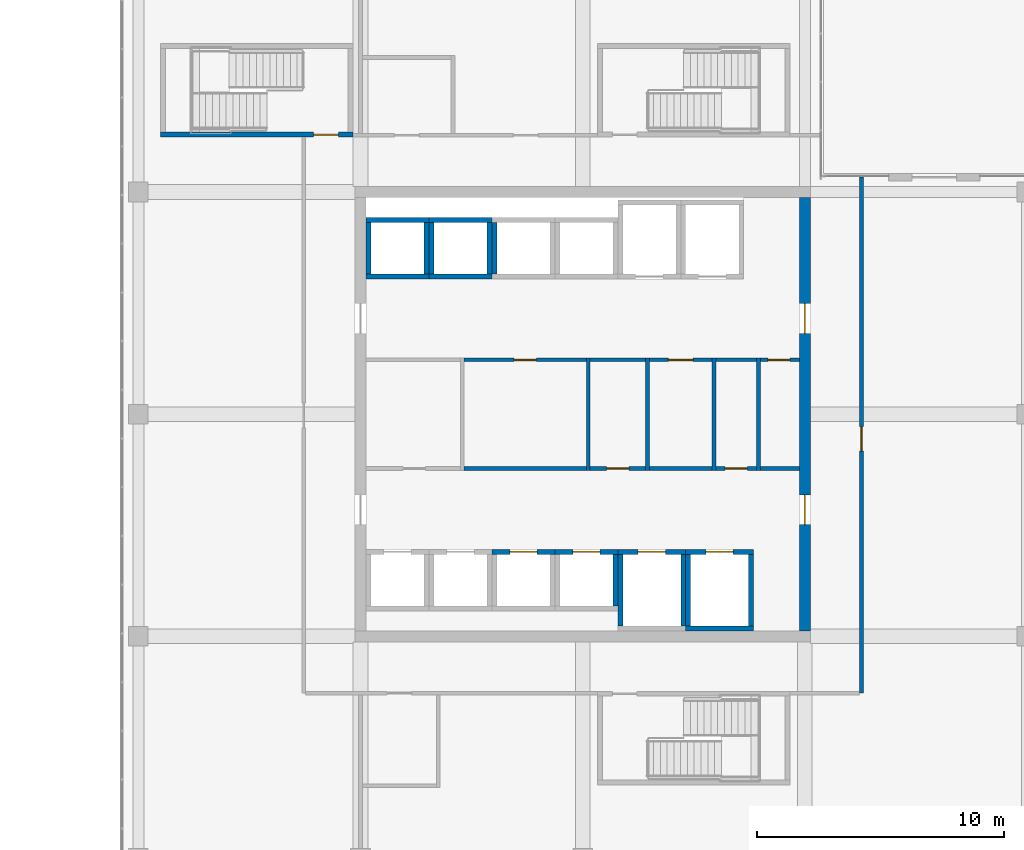
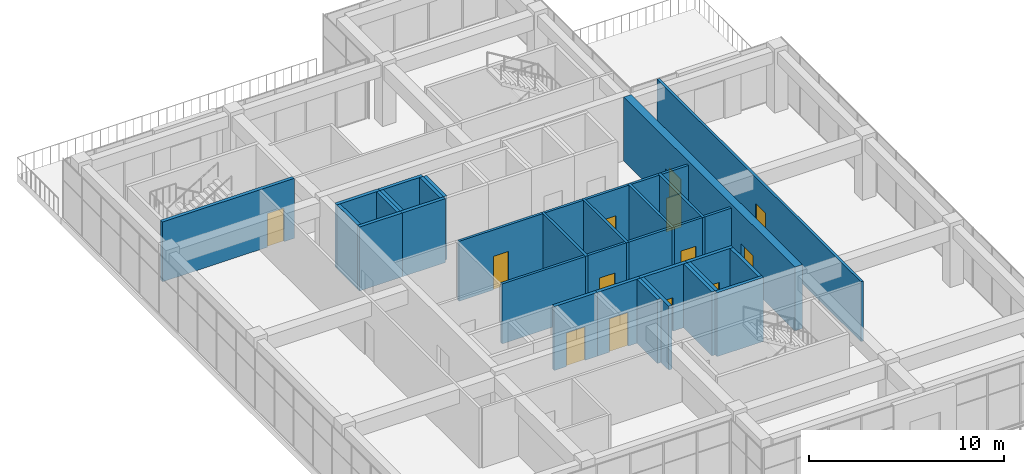
# One storey, part 74 of 81: 36 walls, 13 doors, 13 openings.
"""IFC4 building model written with IfcOpenShell, lengths in metres."""

from ifc_helpers import new_model, si_unit, direction, frame, frame_2d, origin, place, context, subcontext, project, spatial, rectangle, extrude, material, layer, layer_set, type_object, element, fill, save


model = new_model("IFC4")

# Units and contexts
model_context = context("Model", 3, precision=1e-05, world=origin(), true_north=direction((0.0, 1.0)))
body_context = subcontext(model_context, "Body", "Model", "MODEL_VIEW")
ifc_project = project(units=[si_unit("LENGTHUNIT", "METRE"), si_unit("AREAUNIT", "SQUARE_METRE"), si_unit("VOLUMEUNIT", "CUBIC_METRE"), si_unit("PLANEANGLEUNIT", "RADIAN"), si_unit("MASSUNIT", "GRAM", prefix="KILO")], contexts=[model_context])

# Site, building, storey
site_placement = place(None, origin())
site = spatial("IfcSite", under=ifc_project, at=site_placement, CompositionType="ELEMENT")
building_placement = place(site_placement, origin())
building = spatial("IfcBuilding", under=site, at=building_placement, Name="Tuart Plaza Theatre", CompositionType="ELEMENT")
storey_placement = place(building_placement, frame((0.0, 0.0, 17.5)))
storey = spatial("IfcBuildingStorey", under=building, at=storey_placement, Name="L04", CompositionType="ELEMENT", Elevation=17.5)

# Walls
ifc_material_1 = material(Name="Masonry block", Category="masonry")
ifc_layer_1 = layer(ifc_material_1, 0.14990234375)
ifc_layer_set_1 = layer_set([ifc_layer_1], Name="PARTITION BLK150 MASONRYB FRL -/120/120")
wall_type_1 = type_object("IfcWallType", Name="PARTITION BLK150 MASONRYB FRL -/120/120", PredefinedType="PARTITIONING", material=ifc_layer_set_1)
wall_1_placement = place(storey_placement, frame((132.22509765625, 71.72509765625, 0.0), z_axis=(0.0, 0.0, 1.0), x_axis=(0.0, 1.0, 0.0)))
element("IfcWall", 1, at=wall_1_placement, inside=storey, type_object=wall_type_1, Name="P610", PredefinedType="PARTITIONING", context=body_context, shape_type="SweptSolid", body=[
    extrude(rectangle(XDim=4.5498046875, YDim=0.14990234375, at=frame_2d((2.27490234375, 0.0))), origin(), (0.0, 0.0, 1.0), 3.75),
])
wall_2_placement = place(storey_placement, frame((127.199951171875, 71.800048828125, 0.0), z_axis=(0.0, 0.0, 1.0), x_axis=(1.0, 0.0, 0.0)))
element("IfcWall", 2, at=wall_2_placement, inside=storey, type_object=wall_type_1, Name="P611", PredefinedType="PARTITIONING", context=body_context, shape_type="SweptSolid", body=[
    extrude(rectangle(XDim=4.949951171875, YDim=0.14990234375, at=frame_2d((2.47509765625, 0.0))), origin(), (0.0, 0.0, 1.0), 3.75),
])

# Wall, opening, door
wall_3_placement = place(storey_placement, frame((127.199951171875, 76.199951171875, 0.0), z_axis=(0.0, 0.0, 1.0), x_axis=(1.0, 0.0, 0.0)))
wall_3 = element("IfcWall", 3, at=wall_3_placement, inside=storey, type_object=wall_type_1, Name="P612", PredefinedType="PARTITIONING", context=body_context, shape_type="SweptSolid", body=[
    extrude(rectangle(XDim=4.949951171875, YDim=0.14990234375, at=frame_2d((2.47509765625, 0.0))), origin(), (0.0, 0.0, 1.0), 3.75),
])
opening_1_placement = place(wall_3_placement, frame((2.02490234375, 0.0, 0.0)))
opening_1 = element("IfcOpeningElement", 4, at=opening_1_placement, cuts=wall_3, Name="Opening L04-039", PredefinedType="OPENING", context=body_context, shape_type="SweptSolid", body=[
    extrude(rectangle(XDim=0.89990234375, YDim=2.10009765625, at=frame_2d((0.449951171875, 1.050048828125))), frame((0.0, 0.0849609375, 0.0), z_axis=(0.0, -1.0, 0.0), x_axis=(1.0, 0.0, 0.0)), (0.0, 0.0, 1.0), 0.169921875),
])
ifc_material_2 = material(Name="Steel Grade 300", Category="steel")
door_type_1 = type_object("IfcDoorType", Name="DOOR 900x2100 steel single swing FRL -/120/30", OperationType="SINGLE_SWING_LEFT", PredefinedType="DOOR", material=ifc_material_2)
door_1_placement = place(opening_1_placement, frame((0.89990234375, 0.0, 0.0), z_axis=(0.0, 0.0, 1.0), x_axis=(-1.0, 0.0, 0.0)))
door_1 = element("IfcDoor", 5, at=door_1_placement, inside=storey, type_object=door_type_1, Name="L04-039", OperationType="SINGLE_SWING_LEFT", OverallHeight=2.10009765625, OverallWidth=0.89990234375, PredefinedType="DOOR", context=body_context, shape_type="SweptSolid", body=[
    extrude(rectangle(XDim=0.89990234375, YDim=2.10009765625, at=frame_2d((0.449951171875, 1.050048828125))), frame((0.0, 0.02490234375, 0.0), z_axis=(0.0, -1.0, 0.0), x_axis=(1.0, 0.0, 0.0)), (0.0, 0.0, 1.0), 0.050048828125),
])
fill(opening_1, door_1)

# Wall
wall_4_placement = place(storey_placement, frame((134.625, 71.72509765625, 0.0), z_axis=(0.0, 0.0, 1.0), x_axis=(0.0, 1.0, 0.0)))
element("IfcWall", 6, at=wall_4_placement, inside=storey, type_object=wall_type_1, Name="P613", PredefinedType="PARTITIONING", context=body_context, shape_type="SweptSolid", body=[
    extrude(rectangle(XDim=4.5498046875, YDim=0.14990234375, at=frame_2d((2.27490234375, 0.0))), origin(), (0.0, 0.0, 1.0), 3.75),
])

# Wall, opening, door
wall_5_placement = place(storey_placement, frame((132.300048828125, 71.800048828125, 0.0), z_axis=(0.0, 0.0, 1.0), x_axis=(1.0, 0.0, 0.0)))
wall_5 = element("IfcWall", 7, at=wall_5_placement, inside=storey, type_object=wall_type_1, Name="P614", PredefinedType="PARTITIONING", context=body_context, shape_type="SweptSolid", body=[
    extrude(rectangle(XDim=2.25, YDim=0.14990234375, at=frame_2d((1.125, 0.0))), origin(), (0.0, 0.0, 1.0), 3.75),
])
opening_2_placement = place(wall_5_placement, frame((0.675048828125, 0.0, 0.0)))
opening_2 = element("IfcOpeningElement", 8, at=opening_2_placement, cuts=wall_5, Name="Opening L04-040", PredefinedType="OPENING", context=body_context, shape_type="SweptSolid", body=[
    extrude(rectangle(XDim=0.89990234375, YDim=2.10009765625, at=frame_2d((0.449951171875, 1.050048828125))), frame((0.0, 0.0849609375, 0.0), z_axis=(0.0, -1.0, 0.0), x_axis=(1.0, 0.0, 0.0)), (0.0, 0.0, 1.0), 0.169921875),
])
door_2_placement = place(opening_2_placement, origin())
door_2 = element("IfcDoor", 9, at=door_2_placement, inside=storey, type_object=door_type_1, Name="L04-040", OperationType="SINGLE_SWING_LEFT", OverallHeight=2.10009765625, OverallWidth=0.89990234375, PredefinedType="DOOR", context=body_context, shape_type="SweptSolid", body=[
    extrude(rectangle(XDim=0.89990234375, YDim=2.10009765625, at=frame_2d((0.449951171875, 1.050048828125))), frame((0.0, 0.02490234375, 0.0), z_axis=(0.0, -1.0, 0.0), x_axis=(1.0, 0.0, 0.0)), (0.0, 0.0, 1.0), 0.050048828125),
])
fill(opening_2, door_2)

# Walls
wall_6_placement = place(storey_placement, frame((132.300048828125, 76.199951171875, 0.0), z_axis=(0.0, 0.0, 1.0), x_axis=(1.0, 0.0, 0.0)))
element("IfcWall", 10, at=wall_6_placement, inside=storey, type_object=wall_type_1, Name="P615", PredefinedType="PARTITIONING", context=body_context, shape_type="SweptSolid", body=[
    extrude(rectangle(XDim=2.25, YDim=0.14990234375, at=frame_2d((1.125, 0.0))), origin(), (0.0, 0.0, 1.0), 3.75),
])
wall_7_placement = place(storey_placement, frame((137.324951171875, 71.72509765625, 0.0), z_axis=(0.0, 0.0, 1.0), x_axis=(0.0, 1.0, 0.0)))
element("IfcWall", 11, at=wall_7_placement, inside=storey, type_object=wall_type_1, Name="P616", PredefinedType="PARTITIONING", context=body_context, shape_type="SweptSolid", body=[
    extrude(rectangle(XDim=4.5498046875, YDim=0.14990234375, at=frame_2d((2.27490234375, 0.0))), origin(), (0.0, 0.0, 1.0), 3.75),
])
wall_8_placement = place(storey_placement, frame((134.699951171875, 71.800048828125, 0.0), z_axis=(0.0, 0.0, 1.0), x_axis=(1.0, 0.0, 0.0)))
element("IfcWall", 12, at=wall_8_placement, inside=storey, type_object=wall_type_1, Name="P617", PredefinedType="PARTITIONING", context=body_context, shape_type="SweptSolid", body=[
    extrude(rectangle(XDim=2.550048828125, YDim=0.14990234375, at=frame_2d((1.27490234375, 0.0))), origin(), (0.0, 0.0, 1.0), 3.75),
])

# Wall, opening, door
wall_9_placement = place(storey_placement, frame((134.699951171875, 76.199951171875, 0.0), z_axis=(0.0, 0.0, 1.0), x_axis=(1.0, 0.0, 0.0)))
wall_9 = element("IfcWall", 13, at=wall_9_placement, inside=storey, type_object=wall_type_1, Name="P618", PredefinedType="PARTITIONING", context=body_context, shape_type="SweptSolid", body=[
    extrude(rectangle(XDim=2.550048828125, YDim=0.14990234375, at=frame_2d((1.27490234375, 0.0))), origin(), (0.0, 0.0, 1.0), 3.75),
])
opening_3_placement = place(wall_9_placement, frame((0.77490234375, 0.0, 0.0)))
opening_3 = element("IfcOpeningElement", 14, at=opening_3_placement, cuts=wall_9, Name="Opening L04-041", PredefinedType="OPENING", context=body_context, shape_type="SweptSolid", body=[
    extrude(rectangle(XDim=1.0, YDim=2.10009765625, at=frame_2d((0.5, 1.050048828125))), frame((0.0, 0.0849609375, 0.0), z_axis=(0.0, -1.0, 0.0), x_axis=(1.0, 0.0, 0.0)), (0.0, 0.0, 1.0), 0.169921875),
])
ifc_material_3 = material(Name="Steel Grade 300", Category="steel")
door_type_2 = type_object("IfcDoorType", Name="DOOR 1000x2100 steel single swing FRL -/120/30", OperationType="SINGLE_SWING_LEFT", PredefinedType="DOOR", material=ifc_material_3)
door_3_placement = place(opening_3_placement, frame((1.0, 0.0, 0.0), z_axis=(0.0, 0.0, 1.0), x_axis=(-1.0, 0.0, 0.0)))
door_3 = element("IfcDoor", 15, at=door_3_placement, inside=storey, type_object=door_type_2, Name="L04-041", OperationType="SINGLE_SWING_LEFT", OverallHeight=2.10009765625, OverallWidth=1.0, PredefinedType="DOOR", context=body_context, shape_type="SweptSolid", body=[
    extrude(rectangle(XDim=1.0, YDim=2.10009765625, at=frame_2d((0.5, 1.050048828125))), frame((0.0, 0.02490234375, 0.0), z_axis=(0.0, -1.0, 0.0), x_axis=(1.0, 0.0, 0.0)), (0.0, 0.0, 1.0), 0.050048828125),
])
fill(opening_3, door_3)

# Wall
wall_10_placement = place(storey_placement, frame((139.125, 71.72509765625, 0.0), z_axis=(0.0, 0.0, 1.0), x_axis=(0.0, 1.0, 0.0)))
element("IfcWall", 16, at=wall_10_placement, inside=storey, type_object=wall_type_1, Name="P619", PredefinedType="PARTITIONING", context=body_context, shape_type="SweptSolid", body=[
    extrude(rectangle(XDim=4.5498046875, YDim=0.14990234375, at=frame_2d((2.27490234375, 0.0))), origin(), (0.0, 0.0, 1.0), 3.75),
])

# Wall, opening, door
wall_11_placement = place(storey_placement, frame((137.39990234375, 71.800048828125, 0.0), z_axis=(0.0, 0.0, 1.0), x_axis=(1.0, 0.0, 0.0)))
wall_11 = element("IfcWall", 17, at=wall_11_placement, inside=storey, type_object=wall_type_1, Name="P620", PredefinedType="PARTITIONING", context=body_context, shape_type="SweptSolid", body=[
    extrude(rectangle(XDim=1.650146484375, YDim=0.14990234375, at=frame_2d((0.8251953125, 0.0))), origin(), (0.0, 0.0, 1.0), 3.75),
])
opening_4_placement = place(wall_11_placement, frame((0.375, 0.0, 0.0)))
opening_4 = element("IfcOpeningElement", 18, at=opening_4_placement, cuts=wall_11, Name="Opening L04-042", PredefinedType="OPENING", context=body_context, shape_type="SweptSolid", body=[
    extrude(rectangle(XDim=0.89990234375, YDim=2.10009765625, at=frame_2d((0.449951171875, 1.050048828125))), frame((0.0, 0.0849609375, 0.0), z_axis=(0.0, -1.0, 0.0), x_axis=(1.0, 0.0, 0.0)), (0.0, 0.0, 1.0), 0.169921875),
])
door_4_placement = place(opening_4_placement, origin())
door_4 = element("IfcDoor", 19, at=door_4_placement, inside=storey, type_object=door_type_1, Name="L04-042", OperationType="SINGLE_SWING_LEFT", OverallHeight=2.10009765625, OverallWidth=0.89990234375, PredefinedType="DOOR", context=body_context, shape_type="SweptSolid", body=[
    extrude(rectangle(XDim=0.89990234375, YDim=2.10009765625, at=frame_2d((0.449951171875, 1.050048828125))), frame((0.0, 0.02490234375, 0.0), z_axis=(0.0, -1.0, 0.0), x_axis=(1.0, 0.0, 0.0)), (0.0, 0.0, 1.0), 0.050048828125),
])
fill(opening_4, door_4)

# Walls
wall_12_placement = place(storey_placement, frame((137.39990234375, 76.199951171875, 0.0), z_axis=(0.0, 0.0, 1.0), x_axis=(1.0, 0.0, 0.0)))
element("IfcWall", 20, at=wall_12_placement, inside=storey, type_object=wall_type_1, Name="P621", PredefinedType="PARTITIONING", context=body_context, shape_type="SweptSolid", body=[
    extrude(rectangle(XDim=1.650146484375, YDim=0.14990234375, at=frame_2d((0.8251953125, 0.0))), origin(), (0.0, 0.0, 1.0), 3.75),
])
wall_13_placement = place(storey_placement, frame((139.199951171875, 71.800048828125, 0.0), z_axis=(0.0, 0.0, 1.0), x_axis=(1.0, 0.0, 0.0)))
element("IfcWall", 21, at=wall_13_placement, inside=storey, type_object=wall_type_1, Name="P622", PredefinedType="PARTITIONING", context=body_context, shape_type="SweptSolid", body=[
    extrude(rectangle(XDim=1.574951171875, YDim=0.14990234375, at=frame_2d((0.78759765625, 0.0))), origin(), (0.0, 0.0, 1.0), 3.75),
])

# Wall, opening, door
wall_14_placement = place(storey_placement, frame((139.199951171875, 76.199951171875, 0.0), z_axis=(0.0, 0.0, 1.0), x_axis=(1.0, 0.0, 0.0)))
wall_14 = element("IfcWall", 22, at=wall_14_placement, inside=storey, type_object=wall_type_1, Name="P623", PredefinedType="PARTITIONING", context=body_context, shape_type="SweptSolid", body=[
    extrude(rectangle(XDim=1.574951171875, YDim=0.14990234375, at=frame_2d((0.78759765625, 0.0))), origin(), (0.0, 0.0, 1.0), 3.75),
])
opening_5_placement = place(wall_14_placement, frame((0.300048828125, 0.0, 0.0)))
opening_5 = element("IfcOpeningElement", 23, at=opening_5_placement, cuts=wall_14, Name="Opening L04-043", PredefinedType="OPENING", context=body_context, shape_type="SweptSolid", body=[
    extrude(rectangle(XDim=0.89990234375, YDim=2.10009765625, at=frame_2d((0.449951171875, 1.050048828125))), frame((0.0, 0.0849609375, 0.0), z_axis=(0.0, -1.0, 0.0), x_axis=(1.0, 0.0, 0.0)), (0.0, 0.0, 1.0), 0.169921875),
])
door_5_placement = place(opening_5_placement, frame((0.89990234375, 0.0, 0.0), z_axis=(0.0, 0.0, 1.0), x_axis=(-1.0, 0.0, 0.0)))
door_5 = element("IfcDoor", 24, at=door_5_placement, inside=storey, type_object=door_type_1, Name="L04-043", OperationType="SINGLE_SWING_LEFT", OverallHeight=2.10009765625, OverallWidth=0.89990234375, PredefinedType="DOOR", context=body_context, shape_type="SweptSolid", body=[
    extrude(rectangle(XDim=0.89990234375, YDim=2.10009765625, at=frame_2d((0.449951171875, 1.050048828125))), frame((0.0, 0.02490234375, 0.0), z_axis=(0.0, -1.0, 0.0), x_axis=(1.0, 0.0, 0.0)), (0.0, 0.0, 1.0), 0.050048828125),
])
fill(opening_5, door_5)

ifc_material_4 = material(Name="Masonry block", Category="masonry")
ifc_layer_2 = layer(ifc_material_4, 0.14990234375)
ifc_layer_set_2 = layer_set([ifc_layer_2], Name="PARTITION BLK150 MASONRYB FRL 120/-/-")
wall_type_2 = type_object("IfcWallType", Name="PARTITION BLK150 MASONRYB FRL 120/-/-", PredefinedType="PARTITIONING", material=ifc_layer_set_2)
wall_15_placement = place(storey_placement, frame((143.300048828125, 83.60009765625, 0.0), z_axis=(0.0, 0.0, 1.0), x_axis=(0.0, -1.0, 0.0)))
wall_15 = element("IfcWall", 25, at=wall_15_placement, inside=storey, type_object=wall_type_2, Name="P627", PredefinedType="PARTITIONING", context=body_context, shape_type="SweptSolid", body=[
    extrude(rectangle(XDim=20.900146484375, YDim=0.14990234375, at=frame_2d((10.4501953125, 0.0))), origin(), (0.0, 0.0, 1.0), 3.75),
])
opening_6_placement = place(wall_15_placement, frame((10.10009765625, 0.0, 0.0)))
opening_6 = element("IfcOpeningElement", 26, at=opening_6_placement, cuts=wall_15, Name="Opening L04-046", PredefinedType="OPENING", context=body_context, shape_type="SweptSolid", body=[
    extrude(rectangle(XDim=1.0, YDim=2.10009765625, at=frame_2d((0.5, 1.050048828125))), frame((0.0, 0.0849609375, 0.0), z_axis=(0.0, -1.0, 0.0), x_axis=(1.0, 0.0, 0.0)), (0.0, 0.0, 1.0), 0.169921875),
])
ifc_material_5 = material(Name="Timber", Category="wood")
door_type_3 = type_object("IfcDoorType", Name="DOOR 1000x2100 timber single swing FRL -/60/30", OperationType="SINGLE_SWING_LEFT", PredefinedType="DOOR", material=ifc_material_5)
door_6_placement = place(opening_6_placement, origin())
door_6 = element("IfcDoor", 27, at=door_6_placement, inside=storey, type_object=door_type_3, Name="L04-046", OperationType="SINGLE_SWING_LEFT", OverallHeight=2.10009765625, OverallWidth=1.0, PredefinedType="DOOR", context=body_context, shape_type="SweptSolid", body=[
    extrude(rectangle(XDim=1.0, YDim=2.10009765625, at=frame_2d((0.5, 1.050048828125))), frame((0.0, 0.02490234375, 0.0), z_axis=(0.0, -1.0, 0.0), x_axis=(1.0, 0.0, 0.0)), (0.0, 0.0, 1.0), 0.050048828125),
])
fill(opening_6, door_6)

ifc_material_6 = material(Name="Concrete N40 (40 MPa)", Category="concrete")
ifc_layer_3 = layer(ifc_material_6, 0.199951171875)
ifc_layer_set_3 = layer_set([ifc_layer_3], Name="SHEAR WALL RC200 FRL 120/120/120")
wall_type_3 = type_object("IfcWallType", Name="SHEAR WALL RC200 FRL 120/120/120", PredefinedType="SHEAR", material=ifc_layer_set_3)
wall_16_placement = place(storey_placement, frame((130.875, 68.425048828125, 0.0), z_axis=(0.0, 0.0, 1.0), x_axis=(-1.0, 0.0, 0.0)))
wall_16 = element("IfcWall", 28, at=wall_16_placement, inside=storey, type_object=wall_type_3, Name="W656", PredefinedType="SHEAR", context=body_context, shape_type="SweptSolid", body=[
    extrude(rectangle(XDim=2.550048828125, YDim=0.199951171875, at=frame_2d((1.27490234375, 0.0))), origin(), (0.0, 0.0, 1.0), 4.0),
])
opening_7_placement = place(wall_16_placement, frame((0.72509765625, 0.0, 0.0)))
opening_7 = element("IfcOpeningElement", 29, at=opening_7_placement, cuts=wall_16, Name="Opening L04-025", PredefinedType="OPENING", context=body_context, shape_type="SweptSolid", body=[
    extrude(rectangle(XDim=1.10009765625, YDim=2.10009765625, at=frame_2d((0.550048828125, 1.050048828125))), frame((0.0, 0.10986328125, 0.0), z_axis=(0.0, -1.0, 0.0), x_axis=(1.0, 0.0, 0.0)), (0.0, 0.0, 1.0), 0.219970703125),
])
ifc_material_7 = material(Name="Steel Grade 300", Category="steel")
door_type_4 = type_object("IfcDoorType", Name="LANDING DOOR 1100x2100 steel sliding FRL -/120/30", OperationType="SLIDING_TO_LEFT", PredefinedType="DOOR", material=ifc_material_7)
door_7_placement = place(opening_7_placement, origin())
door_7 = element("IfcDoor", 30, at=door_7_placement, inside=storey, type_object=door_type_4, Name="L04-025", OperationType="SLIDING_TO_LEFT", OverallHeight=2.10009765625, OverallWidth=1.10009765625, PredefinedType="DOOR", context=body_context, shape_type="SweptSolid", body=[
    extrude(rectangle(XDim=1.10009765625, YDim=2.10009765625, at=frame_2d((0.550048828125, 1.050048828125))), frame((0.0, 0.02490234375, 0.0), z_axis=(0.0, -1.0, 0.0), x_axis=(1.0, 0.0, 0.0)), (0.0, 0.0, 1.0), 0.050048828125),
])
fill(opening_7, door_7)

# Wall
wall_17_placement = place(storey_placement, frame((133.324951171875, 66.22509765625, 0.0), z_axis=(0.0, 0.0, 1.0), x_axis=(0.0, 1.0, 0.0)))
element("IfcWall", 31, at=wall_17_placement, inside=storey, type_object=wall_type_3, Name="W699", PredefinedType="SHEAR", context=body_context, shape_type="SweptSolid", body=[
    extrude(rectangle(XDim=2.099853515625, YDim=0.199951171875, at=frame_2d((1.0498046875, 0.0))), origin(), (0.0, 0.0, 1.0), 4.0),
])

# Wall, opening, door
wall_18_placement = place(storey_placement, frame((133.425048828125, 68.425048828125, 0.0), z_axis=(0.0, 0.0, 1.0), x_axis=(-1.0, 0.0, 0.0)))
wall_18 = element("IfcWall", 32, at=wall_18_placement, inside=storey, type_object=wall_type_3, Name="W700", PredefinedType="SHEAR", context=body_context, shape_type="SweptSolid", body=[
    extrude(rectangle(XDim=2.550048828125, YDim=0.199951171875, at=frame_2d((1.27490234375, 0.0))), origin(), (0.0, 0.0, 1.0), 4.0),
])
opening_8_placement = place(wall_18_placement, frame((0.72509765625, 0.0, 0.0)))
opening_8 = element("IfcOpeningElement", 33, at=opening_8_placement, cuts=wall_18, Name="Opening L04-026", PredefinedType="OPENING", context=body_context, shape_type="SweptSolid", body=[
    extrude(rectangle(XDim=1.10009765625, YDim=2.10009765625, at=frame_2d((0.550048828125, 1.050048828125))), frame((0.0, 0.10986328125, 0.0), z_axis=(0.0, -1.0, 0.0), x_axis=(1.0, 0.0, 0.0)), (0.0, 0.0, 1.0), 0.219970703125),
])
door_8_placement = place(opening_8_placement, origin())
door_8 = element("IfcDoor", 34, at=door_8_placement, inside=storey, type_object=door_type_4, Name="L04-026", OperationType="SLIDING_TO_LEFT", OverallHeight=2.10009765625, OverallWidth=1.10009765625, PredefinedType="DOOR", context=body_context, shape_type="SweptSolid", body=[
    extrude(rectangle(XDim=1.10009765625, YDim=2.10009765625, at=frame_2d((0.550048828125, 1.050048828125))), frame((0.0, 0.02490234375, 0.0), z_axis=(0.0, -1.0, 0.0), x_axis=(1.0, 0.0, 0.0)), (0.0, 0.0, 1.0), 0.050048828125),
])
fill(opening_8, door_8)

# Walls
wall_19_placement = place(storey_placement, frame((123.22509765625, 79.574951171875, 0.0), z_axis=(0.0, 0.0, 1.0), x_axis=(1.0, 0.0, 0.0)))
element("IfcWall", 35, at=wall_19_placement, inside=storey, type_object=wall_type_3, Name="W742", PredefinedType="SHEAR", context=body_context, shape_type="SweptSolid", body=[
    extrude(rectangle(XDim=2.5498046875, YDim=0.199951171875, at=frame_2d((1.27490234375, 0.0))), origin(), (0.0, 0.0, 1.0), 4.0),
])
wall_20_placement = place(storey_placement, frame((125.675048828125, 79.675048828125, 0.0), z_axis=(0.0, 0.0, 1.0), x_axis=(0.0, 1.0, 0.0)))
element("IfcWall", 36, at=wall_20_placement, inside=storey, type_object=wall_type_3, Name="W743", PredefinedType="SHEAR", context=body_context, shape_type="SweptSolid", body=[
    extrude(rectangle(XDim=2.099853515625, YDim=0.199951171875, at=frame_2d((1.0498046875, 0.0))), origin(), (0.0, 0.0, 1.0), 4.0),
])
wall_21_placement = place(storey_placement, frame((125.77490234375, 81.875, 0.0), z_axis=(0.0, 0.0, 1.0), x_axis=(-1.0, 0.0, 0.0)))
element("IfcWall", 37, at=wall_21_placement, inside=storey, type_object=wall_type_3, Name="W744", PredefinedType="SHEAR", context=body_context, shape_type="SweptSolid", body=[
    extrude(rectangle(XDim=2.5498046875, YDim=0.199951171875, at=frame_2d((1.27490234375, 0.0))), origin(), (0.0, 0.0, 1.0), 4.0),
])
wall_22_placement = place(storey_placement, frame((123.324951171875, 81.77490234375, 0.0), z_axis=(0.0, 0.0, 1.0), x_axis=(0.0, -1.0, 0.0)))
element("IfcWall", 38, at=wall_22_placement, inside=storey, type_object=wall_type_3, Name="W745", PredefinedType="SHEAR", context=body_context, shape_type="SweptSolid", body=[
    extrude(rectangle(XDim=2.099853515625, YDim=0.199951171875, at=frame_2d((1.0498046875, 0.0))), origin(), (0.0, 0.0, 1.0), 4.0),
])
wall_23_placement = place(storey_placement, frame((125.77490234375, 79.574951171875, 0.0), z_axis=(0.0, 0.0, 1.0), x_axis=(1.0, 0.0, 0.0)))
element("IfcWall", 39, at=wall_23_placement, inside=storey, type_object=wall_type_3, Name="W814", PredefinedType="SHEAR", context=body_context, shape_type="SweptSolid", body=[
    extrude(rectangle(XDim=2.550048828125, YDim=0.199951171875, at=frame_2d((1.27490234375, 0.0))), origin(), (0.0, 0.0, 1.0), 4.0),
])
wall_24_placement = place(storey_placement, frame((128.22509765625, 79.675048828125, 0.0), z_axis=(0.0, 0.0, 1.0), x_axis=(0.0, 1.0, 0.0)))
element("IfcWall", 40, at=wall_24_placement, inside=storey, type_object=wall_type_3, Name="W815", PredefinedType="SHEAR", context=body_context, shape_type="SweptSolid", body=[
    extrude(rectangle(XDim=2.099853515625, YDim=0.199951171875, at=frame_2d((1.0498046875, 0.0))), origin(), (0.0, 0.0, 1.0), 4.0),
])
wall_25_placement = place(storey_placement, frame((128.324951171875, 81.875, 0.0), z_axis=(0.0, 0.0, 1.0), x_axis=(-1.0, 0.0, 0.0)))
element("IfcWall", 41, at=wall_25_placement, inside=storey, type_object=wall_type_3, Name="W816", PredefinedType="SHEAR", context=body_context, shape_type="SweptSolid", body=[
    extrude(rectangle(XDim=2.550048828125, YDim=0.199951171875, at=frame_2d((1.27490234375, 0.0))), origin(), (0.0, 0.0, 1.0), 4.0),
])
for number, where, z_axis, x_axis, name in (
    (42, (125.875, 81.77490234375, 0.0), (0.0, 0.0, 1.0), (0.0, -1.0, 0.0), "W817"),
    (43, (128.425048828125, 81.77490234375, 0.0), (0.0, 0.0, 1.0), (0.0, -1.0, 0.0), "W889"),
):
    element("IfcWall", number, at=place(storey_placement, frame(where, z_axis=z_axis, x_axis=x_axis)), inside=storey, type_object=wall_type_3, Name=name, PredefinedType="SHEAR", context=body_context, shape_type="SweptSolid", body=[
        extrude(rectangle(XDim=2.099853515625, YDim=0.199951171875, at=frame_2d((1.0498046875, 0.0))), origin(), (0.0, 0.0, 1.0), 4.0),
    ])
wall_26_placement = place(storey_placement, frame((136.074951171875, 65.425048828125, 0.0), z_axis=(0.0, 0.0, 1.0), x_axis=(0.0, 1.0, 0.0)))
element("IfcWall", 44, at=wall_26_placement, inside=storey, type_object=wall_type_3, Name="W1031", PredefinedType="SHEAR", context=body_context, shape_type="SweptSolid", body=[
    extrude(rectangle(XDim=2.89990234375, YDim=0.199951171875, at=frame_2d((1.449951171875, 0.0))), origin(), (0.0, 0.0, 1.0), 4.0),
])

# Wall, opening, door
wall_27_placement = place(storey_placement, frame((136.175048828125, 68.425048828125, 0.0), z_axis=(0.0, 0.0, 1.0), x_axis=(-1.0, 0.0, 0.0)))
wall_27 = element("IfcWall", 45, at=wall_27_placement, inside=storey, type_object=wall_type_3, Name="W1032", PredefinedType="SHEAR", context=body_context, shape_type="SweptSolid", body=[
    extrude(rectangle(XDim=2.75, YDim=0.199951171875, at=frame_2d((1.375, 0.0))), origin(), (0.0, 0.0, 1.0), 4.0),
])
opening_9_placement = place(wall_27_placement, frame((0.824951171875, 0.0, 0.0)))
opening_9 = element("IfcOpeningElement", 46, at=opening_9_placement, cuts=wall_27, Name="Opening L04-027", PredefinedType="OPENING", context=body_context, shape_type="SweptSolid", body=[
    extrude(rectangle(XDim=1.10009765625, YDim=2.10009765625, at=frame_2d((0.550048828125, 1.050048828125))), frame((0.0, 0.10986328125, 0.0), z_axis=(0.0, -1.0, 0.0), x_axis=(1.0, 0.0, 0.0)), (0.0, 0.0, 1.0), 0.219970703125),
])
door_9_placement = place(opening_9_placement, origin())
door_9 = element("IfcDoor", 47, at=door_9_placement, inside=storey, type_object=door_type_4, Name="L04-027", OperationType="SLIDING_TO_LEFT", OverallHeight=2.10009765625, OverallWidth=1.10009765625, PredefinedType="DOOR", context=body_context, shape_type="SweptSolid", body=[
    extrude(rectangle(XDim=1.10009765625, YDim=2.10009765625, at=frame_2d((0.550048828125, 1.050048828125))), frame((0.0, 0.02490234375, 0.0), z_axis=(0.0, -1.0, 0.0), x_axis=(1.0, 0.0, 0.0)), (0.0, 0.0, 1.0), 0.050048828125),
])
fill(opening_9, door_9)

# Walls
wall_28_placement = place(storey_placement, frame((133.52490234375, 68.324951171875, 0.0), z_axis=(0.0, 0.0, 1.0), x_axis=(0.0, -1.0, 0.0)))
element("IfcWall", 48, at=wall_28_placement, inside=storey, type_object=wall_type_3, Name="W1033", PredefinedType="SHEAR", context=body_context, shape_type="SweptSolid", body=[
    extrude(rectangle(XDim=2.89990234375, YDim=0.199951171875, at=frame_2d((1.449951171875, 0.0))), origin(), (0.0, 0.0, 1.0), 4.0),
])
wall_29_placement = place(storey_placement, frame((136.175048828125, 65.324951171875, 0.0), z_axis=(0.0, 0.0, 1.0), x_axis=(1.0, 0.0, 0.0)))
element("IfcWall", 49, at=wall_29_placement, inside=storey, type_object=wall_type_3, Name="W1106", PredefinedType="SHEAR", context=body_context, shape_type="SweptSolid", body=[
    extrude(rectangle(XDim=2.75, YDim=0.199951171875, at=frame_2d((1.375, 0.0))), origin(), (0.0, 0.0, 1.0), 4.0),
])
wall_30_placement = place(storey_placement, frame((138.824951171875, 65.425048828125, 0.0), z_axis=(0.0, 0.0, 1.0), x_axis=(0.0, 1.0, 0.0)))
element("IfcWall", 50, at=wall_30_placement, inside=storey, type_object=wall_type_3, Name="W1107", PredefinedType="SHEAR", context=body_context, shape_type="SweptSolid", body=[
    extrude(rectangle(XDim=2.89990234375, YDim=0.199951171875, at=frame_2d((1.449951171875, 0.0))), origin(), (0.0, 0.0, 1.0), 4.0),
])

# Wall, opening, door
wall_31_placement = place(storey_placement, frame((138.925048828125, 68.425048828125, 0.0), z_axis=(0.0, 0.0, 1.0), x_axis=(-1.0, 0.0, 0.0)))
wall_31 = element("IfcWall", 51, at=wall_31_placement, inside=storey, type_object=wall_type_3, Name="W1108", PredefinedType="SHEAR", context=body_context, shape_type="SweptSolid", body=[
    extrude(rectangle(XDim=2.75, YDim=0.199951171875, at=frame_2d((1.375, 0.0))), origin(), (0.0, 0.0, 1.0), 4.0),
])
opening_10_placement = place(wall_31_placement, frame((0.824951171875, 0.0, 0.0)))
opening_10 = element("IfcOpeningElement", 52, at=opening_10_placement, cuts=wall_31, Name="Opening L04-028", PredefinedType="OPENING", context=body_context, shape_type="SweptSolid", body=[
    extrude(rectangle(XDim=1.10009765625, YDim=2.10009765625, at=frame_2d((0.550048828125, 1.050048828125))), frame((0.0, 0.10986328125, 0.0), z_axis=(0.0, -1.0, 0.0), x_axis=(1.0, 0.0, 0.0)), (0.0, 0.0, 1.0), 0.219970703125),
])
door_10_placement = place(opening_10_placement, origin())
door_10 = element("IfcDoor", 53, at=door_10_placement, inside=storey, type_object=door_type_4, Name="L04-028", OperationType="SLIDING_TO_LEFT", OverallHeight=2.10009765625, OverallWidth=1.10009765625, PredefinedType="DOOR", context=body_context, shape_type="SweptSolid", body=[
    extrude(rectangle(XDim=1.10009765625, YDim=2.10009765625, at=frame_2d((0.550048828125, 1.050048828125))), frame((0.0, 0.02490234375, 0.0), z_axis=(0.0, -1.0, 0.0), x_axis=(1.0, 0.0, 0.0)), (0.0, 0.0, 1.0), 0.050048828125),
])
fill(opening_10, door_10)

# Wall
wall_32_placement = place(storey_placement, frame((136.27490234375, 68.324951171875, 0.0), z_axis=(0.0, 0.0, 1.0), x_axis=(0.0, -1.0, 0.0)))
element("IfcWall", 54, at=wall_32_placement, inside=storey, type_object=wall_type_3, Name="W1109", PredefinedType="SHEAR", context=body_context, shape_type="SweptSolid", body=[
    extrude(rectangle(XDim=2.89990234375, YDim=0.199951171875, at=frame_2d((1.449951171875, 0.0))), origin(), (0.0, 0.0, 1.0), 4.0),
])

# Wall, opening, door
wall_33_placement = place(storey_placement, frame((114.89990234375, 85.324951171875, 0.0), z_axis=(0.0, 0.0, 1.0), x_axis=(1.0, 0.0, 0.0)))
wall_33 = element("IfcWall", 55, at=wall_33_placement, inside=storey, type_object=wall_type_3, Name="P456", PredefinedType="SHEAR", context=body_context, shape_type="SweptSolid", body=[
    extrude(rectangle(XDim=7.800048828125, YDim=0.199951171875, at=frame_2d((3.89990234375, 0.0))), origin(), (0.0, 0.0, 1.0), 3.75),
])
opening_11_placement = place(wall_33_placement, frame((6.199951171875, 0.0, 0.0)))
opening_11 = element("IfcOpeningElement", 56, at=opening_11_placement, cuts=wall_33, Name="Opening L04-033", PredefinedType="OPENING", context=body_context, shape_type="SweptSolid", body=[
    extrude(rectangle(XDim=1.0, YDim=2.10009765625, at=frame_2d((0.5, 1.050048828125))), frame((0.0, 0.10986328125, 0.0), z_axis=(0.0, -1.0, 0.0), x_axis=(1.0, 0.0, 0.0)), (0.0, 0.0, 1.0), 0.219970703125),
])
door_11_placement = place(opening_11_placement, origin())
door_11 = element("IfcDoor", 57, at=door_11_placement, inside=storey, type_object=door_type_2, Name="L04-033", OperationType="SINGLE_SWING_LEFT", OverallHeight=2.10009765625, OverallWidth=1.0, PredefinedType="DOOR", context=body_context, shape_type="SweptSolid", body=[
    extrude(rectangle(XDim=1.0, YDim=2.10009765625, at=frame_2d((0.5, 1.050048828125))), frame((0.0, 0.02490234375, 0.0), z_axis=(0.0, -1.0, 0.0), x_axis=(1.0, 0.0, 0.0)), (0.0, 0.0, 1.0), 0.050048828125),
])
fill(opening_11, door_11)

# Wall, openings, doors
ifc_material_8 = material(Name="Concrete N50 (50 MPa)", Category="concrete")
ifc_layer_4 = layer(ifc_material_8, 0.449951171875)
ifc_layer_set_4 = layer_set([ifc_layer_4], Name="SHEAR WALL RC450 N50 FRL 120/120/120")
wall_type_4 = type_object("IfcWallType", Name="SHEAR WALL RC450 N50 FRL 120/120/120", PredefinedType="SHEAR", material=ifc_layer_set_4)
wall_34_placement = place(storey_placement, frame((141.0, 65.22509765625, 0.0), z_axis=(0.0, 0.0, 1.0), x_axis=(0.0, 1.0, 0.0)))
wall_34 = element("IfcWall", 58, at=wall_34_placement, inside=storey, type_object=wall_type_4, Name="W380", PredefinedType="SHEAR", context=body_context, shape_type="SweptSolid", body=[
    extrude(rectangle(XDim=17.5498046875, YDim=0.449951171875, at=frame_2d((8.77490234375, 0.0))), origin(), (0.0, 0.0, 1.0), 4.0),
])
opening_12_placement = place(wall_34_placement, frame((4.300048828125, 0.0, 0.0)))
opening_12 = element("IfcOpeningElement", 59, at=opening_12_placement, cuts=wall_34, Name="Opening L04-035", PredefinedType="OPENING", context=body_context, shape_type="SweptSolid", body=[
    extrude(rectangle(XDim=1.199951171875, YDim=2.10009765625, at=frame_2d((0.60009765625, 1.050048828125))), frame((0.0, 0.23486328125, 0.0), z_axis=(0.0, -1.0, 0.0), x_axis=(1.0, 0.0, 0.0)), (0.0, 0.0, 1.0), 0.469970703125),
])
opening_13_placement = place(wall_34_placement, frame((12.050048828125, 0.0, 0.0)))
opening_13 = element("IfcOpeningElement", 60, at=opening_13_placement, cuts=wall_34, Name="Opening L04-037", PredefinedType="OPENING", context=body_context, shape_type="SweptSolid", body=[
    extrude(rectangle(XDim=1.199951171875, YDim=2.10009765625, at=frame_2d((0.60009765625, 1.050048828125))), frame((0.0, 0.23486328125, 0.0), z_axis=(0.0, -1.0, 0.0), x_axis=(1.0, 0.0, 0.0)), (0.0, 0.0, 1.0), 0.469970703125),
])
ifc_material_9 = material(Name="Steel Grade 300", Category="steel")
door_type_5 = type_object("IfcDoorType", Name="DOOR 1200x2100 steel single swing FRL -/120/30", OperationType="SINGLE_SWING_LEFT", PredefinedType="DOOR", material=ifc_material_9)
door_12_placement = place(opening_12_placement, frame((1.199951171875, 0.0, 0.0), z_axis=(0.0, 0.0, 1.0), x_axis=(-1.0, 0.0, 0.0)))
door_12 = element("IfcDoor", 61, at=door_12_placement, inside=storey, type_object=door_type_5, Name="L04-035", OperationType="SINGLE_SWING_LEFT", OverallHeight=2.10009765625, OverallWidth=1.199951171875, PredefinedType="DOOR", context=body_context, shape_type="SweptSolid", body=[
    extrude(rectangle(XDim=1.199951171875, YDim=2.10009765625, at=frame_2d((0.60009765625, 1.050048828125))), frame((0.0, 0.02490234375, 0.0), z_axis=(0.0, -1.0, 0.0), x_axis=(1.0, 0.0, 0.0)), (0.0, 0.0, 1.0), 0.050048828125),
])
fill(opening_12, door_12)
door_13_placement = place(opening_13_placement, frame((1.199951171875, 0.0, 0.0), z_axis=(0.0, 0.0, 1.0), x_axis=(-1.0, 0.0, 0.0)))
door_13 = element("IfcDoor", 62, at=door_13_placement, inside=storey, type_object=door_type_5, Name="L04-037", OperationType="SINGLE_SWING_RIGHT", OverallHeight=2.10009765625, OverallWidth=1.199951171875, PredefinedType="DOOR", context=body_context, shape_type="SweptSolid", body=[
    extrude(rectangle(XDim=1.199951171875, YDim=2.10009765625, at=frame_2d((0.60009765625, 1.050048828125))), frame((0.0, 0.02490234375, 0.0), z_axis=(0.0, -1.0, 0.0), x_axis=(1.0, 0.0, 0.0)), (0.0, 0.0, 1.0), 0.050048828125),
])
fill(opening_13, door_13)

save(model, "model.ifc")
